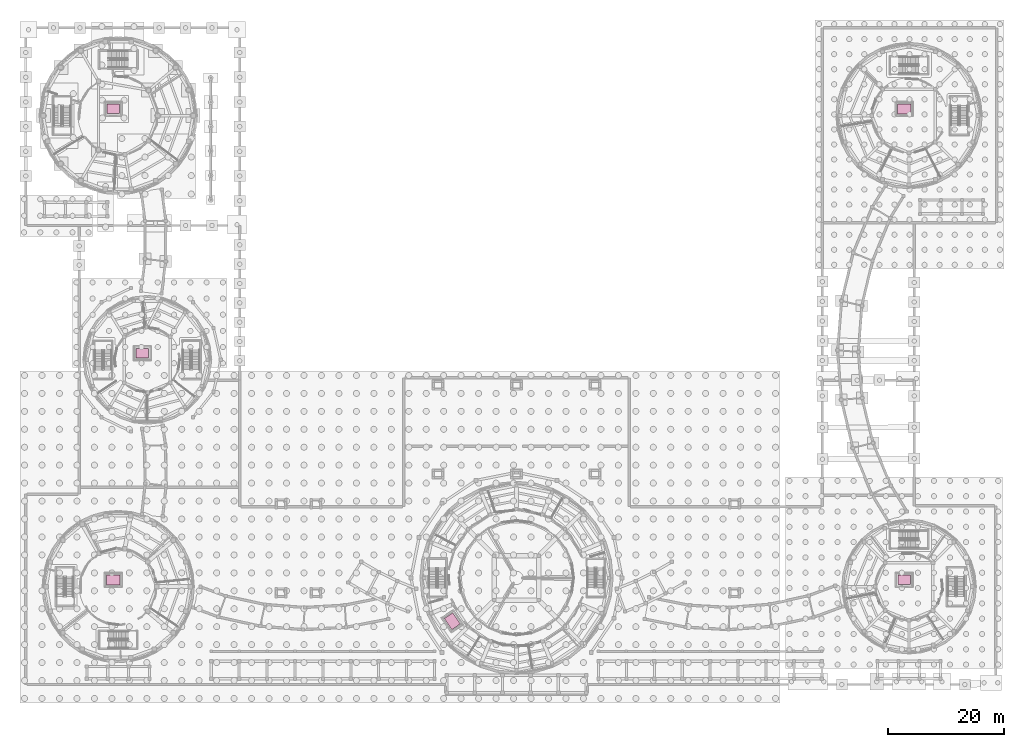
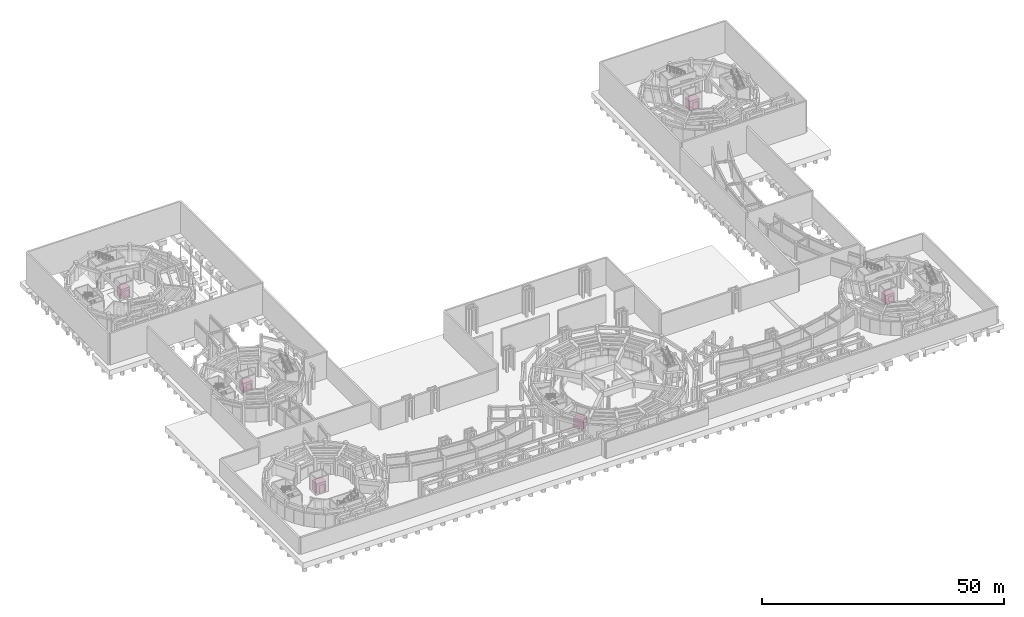
# One storey, part 57 of 57: 6 transport elements.
"""IFC4 building model written with IfcOpenShell, lengths in metres."""

import ifcopenshell
import ifcopenshell.guid

model = None  # the IFC model being written
_history = None  # IfcOwnerHistory: only IFC2X3 demands one
_inside = {}  # id of a spatial element -> (the spatial element, [elements in it])
_under = {}  # id of a project, library or spatial element -> (it, [spatial elements below it])
_declared = {}  # id of a project -> (the project, [libraries it declares])
_typed = {}  # id of a type object -> (the type object, [elements of that type])
_made_of = {}  # id of a material, layer set ... -> (it, [elements and type objects made of it])


def new_model(schema):
    """Start an empty IFC model of exactly this schema.

    Asked for "IFC4X3", IfcOpenShell would pick the latest addendum, in which some entities
    have other attributes; the version numbers below select the first issue.
    IFC2X3 requires an IfcOwnerHistory on every rooted entity: one is made here for all.
    """
    global model, _history
    if schema == "IFC4X3":
        model = ifcopenshell.file(schema_version=(4, 3, 0, 0))
    else:
        model = ifcopenshell.file(schema=schema)
    _inside.clear()
    _under.clear()
    _declared.clear()
    _typed.clear()
    _made_of.clear()
    _history = None
    if model.schema == "IFC2X3":
        org = make("IfcOrganization", Name="unknown")
        user = make(
            "IfcPersonAndOrganization",
            ThePerson=make("IfcPerson", FamilyName="unknown"),
            TheOrganization=org,
        )
        app = make(
            "IfcApplication",
            ApplicationDeveloper=org,
            Version="unknown",
            ApplicationFullName="unknown",
            ApplicationIdentifier="unknown",
        )
        _history = make(
            "IfcOwnerHistory",
            OwningUser=user,
            OwningApplication=app,
            ChangeAction="ADDED",
            CreationDate=0,
        )
    return model


def make(cls, **values):
    """One entity of the class cls with the attributes given. An attribute that is None is left unset."""
    return model.create_entity(
        cls, **{name: value for name, value in values.items() if value is not None}
    )


def rooted(cls, **values):
    """An entity with a GlobalId (a new one), such as an element, a storey or a relation."""
    return make(cls, GlobalId=ifcopenshell.guid.new(), OwnerHistory=_history, **values)


def si_unit(unit_type, name, prefix=None):
    """IfcSIUnit, for example si_unit("LENGTHUNIT", "METRE", prefix="MILLI")."""
    return make("IfcSIUnit", UnitType=unit_type, Prefix=prefix, Name=name)


def assignment(units):
    """IfcUnitAssignment: the units of a project."""
    return None if units is None else make("IfcUnitAssignment", Units=units)


def point(xyz):
    """IfcCartesianPoint."""
    return None if xyz is None else make("IfcCartesianPoint", Coordinates=xyz)


def direction(xyz):
    """IfcDirection."""
    return None if xyz is None else make("IfcDirection", DirectionRatios=xyz)


def frame(location, z_axis=None, x_axis=None):
    """IfcAxis2Placement3D, a coordinate frame: its origin and axes. An axis left out is left unset."""
    return make(
        "IfcAxis2Placement3D",
        Location=point(location),
        Axis=direction(z_axis),
        RefDirection=direction(x_axis),
    )


def frame_2d(location, x_axis=None):
    """IfcAxis2Placement2D, a coordinate frame in the plane: its origin and x axis."""
    return make(
        "IfcAxis2Placement2D", Location=point(location), RefDirection=direction(x_axis)
    )


def origin():
    """The frame at (0, 0, 0) with its axes left unset."""
    return frame((0.0, 0.0, 0.0))


def origin_2d():
    """The frame at (0, 0) in the plane with its x axis left unset."""
    return frame_2d((0.0, 0.0))


def place(relative_to, where):
    """IfcLocalPlacement: puts the frame where relative to a parent placement (None: the world)."""
    return make(
        "IfcLocalPlacement", PlacementRelTo=relative_to, RelativePlacement=where
    )


def context(
    kind, dimensions, precision=None, world=None, true_north=None, identifier=None
):
    """IfcGeometricRepresentationContext, for example the 3D "Model" context."""
    return make(
        "IfcGeometricRepresentationContext",
        ContextIdentifier=identifier,
        ContextType=kind,
        CoordinateSpaceDimension=dimensions,
        Precision=precision,
        WorldCoordinateSystem=world,
        TrueNorth=true_north,
    )


def subcontext(parent, identifier, kind, view, scale=None):
    """IfcGeometricRepresentationSubContext, for example "Body" below "Model"."""
    return make(
        "IfcGeometricRepresentationSubContext",
        ContextIdentifier=identifier,
        ContextType=kind,
        ParentContext=parent,
        TargetScale=scale,
        TargetView=view,
    )


def project(units=None, contexts=None):
    """IfcProject with its units and contexts."""
    return rooted(
        "IfcProject",
        Name="project",
        RepresentationContexts=contexts,
        UnitsInContext=assignment(units),
    )


def spatial(cls, under=None, at=None, **own):
    """A site, building, storey or space (cls), placed at a placement, below another one or the project."""
    s = rooted(cls, ObjectPlacement=at, **own)
    if under is not None:
        _under.setdefault(under.id(), (under, []))[1].append(s)
    return s


def profile(cls, at=None, kind="AREA", **sizes):
    """A parametric profile (cls). Its sizes go by their IFC names, for example OverallWidth=200.0."""
    return make(cls, ProfileType=kind, Position=at, **sizes)


def rectangle(**sizes):
    """IfcRectangleProfileDef."""
    return profile("IfcRectangleProfileDef", **sizes)


def extrude(swept, where, along, depth):
    """IfcExtrudedAreaSolid: the profile swept, set in the frame where, extruded along a direction by depth."""
    return make(
        "IfcExtrudedAreaSolid",
        SweptArea=swept,
        Position=where,
        ExtrudedDirection=direction(along),
        Depth=depth,
    )


def shape(context_of_items, identifier, shape_type, items):
    """IfcShapeRepresentation: the items that make up one representation, for example the "Body"."""
    return make(
        "IfcShapeRepresentation",
        ContextOfItems=context_of_items,
        RepresentationIdentifier=identifier,
        RepresentationType=shape_type,
        Items=items,
    )


def material(Name=None, Category=None):
    """IfcMaterial."""
    return make("IfcMaterial", Name=Name, Category=Category)


def made_of(thing, what):
    """Note that an element or type object is made of a material, layer set ...; save() writes the relation."""
    if what is not None:
        _made_of.setdefault(what.id(), (what, []))[1].append(thing)
    return thing


def type_object(cls, material=None, **own):
    """A type object (cls), such as IfcWallType, which elements share."""
    return made_of(rooted(cls, **own), material)


def element(
    cls,
    number,
    at=None,
    inside=None,
    cuts=None,
    type_object=None,
    material=None,
    context=None,
    identifier="Body",
    shape_type=None,
    held_by="IfcProductDefinitionShape",
    body=None,
    shapes=None,
    **own,
):
    """One element of the class cls, such as IfcWall. Its Tag is "e" and its number.

    at: its placement. inside: the storey or other place that contains it. cuts: it is an
    opening in that element (IfcRelVoidsElement). A single representation is given by context,
    identifier, shape_type and body (its items); several are given by shapes. held_by: the class
    of the entity that holds the representations. save() writes the other relations.
    """
    e = rooted(cls, Tag="e%d" % number, ObjectPlacement=at, **own)
    if body is not None:
        shapes = [shape(context, identifier, shape_type, body)]
    if shapes is not None:
        e.Representation = make(held_by, Representations=shapes)
    if inside is not None:
        _inside.setdefault(inside.id(), (inside, []))[1].append(e)
    if cuts is not None:
        rooted(
            "IfcRelVoidsElement", RelatingBuildingElement=cuts, RelatedOpeningElement=e
        )
    if type_object is not None:
        _typed.setdefault(type_object.id(), (type_object, []))[1].append(e)
    return made_of(e, material)


def aggregate(whole, parts):
    """IfcRelAggregates: a whole, such as a stair, and the parts it consists of."""
    return rooted("IfcRelAggregates", RelatingObject=whole, RelatedObjects=parts)


def save(model, path):
    """Write the relations noted so far, then the file.

    IfcRelAggregates (storeys below a building ...), IfcRelContainedInSpatialStructure (elements
    in a storey), IfcRelDefinesByType, IfcRelAssociatesMaterial and IfcRelDeclares: one each for
    every whole, place, type object, material and project.
    """
    for whole, parts in _under.values():
        aggregate(whole, parts)
    for where, things in _inside.values():
        rooted(
            "IfcRelContainedInSpatialStructure",
            RelatedElements=things,
            RelatingStructure=where,
        )
    for kind, things in _typed.values():
        rooted("IfcRelDefinesByType", RelatedObjects=things, RelatingType=kind)
    for what, things in _made_of.values():
        rooted("IfcRelAssociatesMaterial", RelatedObjects=things, RelatingMaterial=what)
    for by, libraries in _declared.values():
        rooted("IfcRelDeclares", RelatingContext=by, RelatedDefinitions=libraries)
    model.write(path)


model = new_model("IFC4")

# Units and contexts
model_context = context("Model", 3, precision=1e-05, world=origin(), true_north=direction((0.0, 1.0)))
body_context = subcontext(model_context, "Body", "Model", "MODEL_VIEW")
ifc_project = project(units=[si_unit("LENGTHUNIT", "METRE"), si_unit("AREAUNIT", "SQUARE_METRE"), si_unit("VOLUMEUNIT", "CUBIC_METRE"), si_unit("PLANEANGLEUNIT", "RADIAN"), si_unit("MASSUNIT", "GRAM", prefix="KILO")], contexts=[model_context])

# Site, building, storey
site_placement = place(None, origin())
site = spatial("IfcSite", under=ifc_project, at=site_placement, CompositionType="ELEMENT")
building_placement = place(site_placement, origin())
building = spatial("IfcBuilding", under=site, at=building_placement, Name="Aldenvaro Health Centre", CompositionType="ELEMENT")
storey_placement = place(building_placement, frame((0.0, 0.0, -4.550048828125)))
storey = spatial("IfcBuildingStorey", under=building, at=storey_placement, Name="B1", CompositionType="ELEMENT", Elevation=-4.550048828125)

# Transport elements
ifc_material = material(Name="Brushed Stainless Steel AISI 304", Category="steel")
transport_element_type_1 = type_object("IfcTransportElementType", Name="LFT-BAR-02", PredefinedType="ELEVATOR", material=ifc_material)
for number, where, z_axis, x_axis, name in (
    (1, (75.952880859375, 12.549072265625, 0.0), (0.0, 0.0, 1.0), (-0.559192903471, 0.829037572555, 0.0), "Stretcher Lift LF-01"),
    (2, (153.64990234375, 100.64990234375, 0.0), (0.0, 0.0, 1.0), (1.0, 0.0, 0.0), "Stretcher Lift LF-02"),
    (3, (17.64990234375, 19.64990234375, 0.0), (0.0, 0.0, 1.0), (1.0, 0.0, 0.0), "Stretcher Lift LF-05"),
):
    element("IfcTransportElement", number, at=place(storey_placement, frame(where, z_axis=z_axis, x_axis=x_axis)), inside=storey, type_object=transport_element_type_1, Name=name, PredefinedType="ELEVATOR", context=body_context, shape_type="SweptSolid", body=[
        extrude(rectangle(XDim=2.300048828125, YDim=1.75, at=origin_2d()), origin(), (0.0, 0.0, 1.0), 2.449951171875),
    ])
transport_element_type_2 = type_object("IfcTransportElementType", Name="LFT-STR-01", PredefinedType="ELEVATOR", material=ifc_material)
for number, where, z_axis, x_axis, name in (
    (4, (22.64990234375, 58.64990234375, 0.0), (0.0, 0.0, 1.0), (1.0, 0.0, 0.0), "Stretcher Lift LF-03"),
    (5, (17.64990234375, 100.64990234375, 0.0), (0.0, 0.0, 1.0), (1.0, 0.0, 0.0), "Stretcher Lift LF-04"),
    (6, (153.64990234375, 19.64990234375, 0.0), (0.0, 0.0, 1.0), (1.0, 0.0, 0.0), "Stretcher Lift LF-06"),
):
    element("IfcTransportElement", number, at=place(storey_placement, frame(where, z_axis=z_axis, x_axis=x_axis)), inside=storey, type_object=transport_element_type_2, Name=name, PredefinedType="ELEVATOR", context=body_context, shape_type="SweptSolid", body=[
        extrude(rectangle(XDim=2.14990234375, YDim=1.64990234375, at=origin_2d()), origin(), (0.0, 0.0, 1.0), 2.39990234375),
    ])

save(model, "model.ifc")
